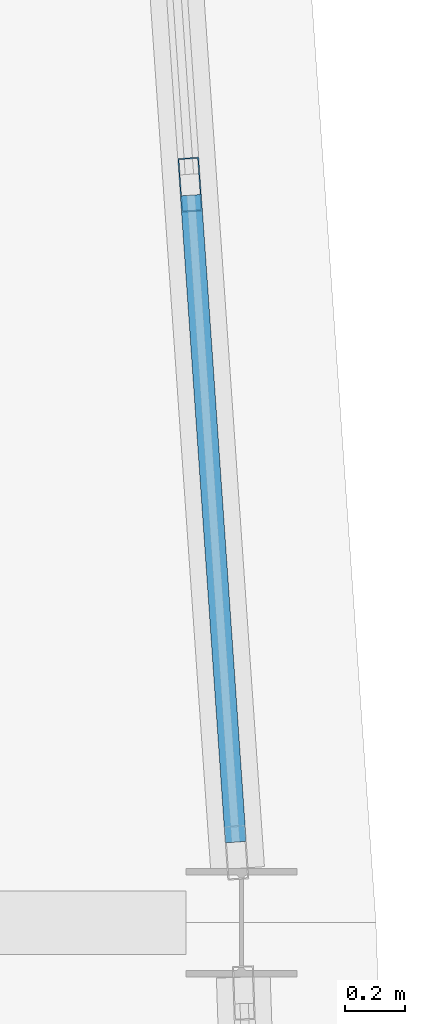
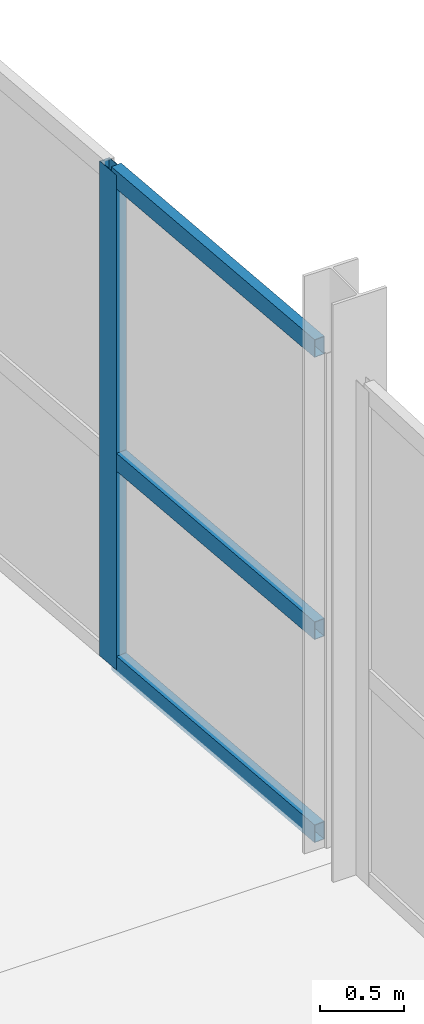
# One storey, part 5 of 16: 4 members, 1 element without a shape of its own.
"""IFC4 building model written with IfcOpenShell, lengths in metres."""

from ifc_helpers import new_model, si_unit, direction, frame, origin, origin_2d, place, context, subcontext, project, spatial, hollow_rectangle, extrude, material, layer, layer_set, material_profile, profile_set, type_object, element, aggregate, save


model = new_model("IFC4")

# Units and contexts
model_context = context("Model", 3, precision=1e-05, world=origin(), true_north=direction((0.0, 1.0)))
body_context = subcontext(model_context, "Body", "Model", "MODEL_VIEW")
ifc_project = project(units=[si_unit("LENGTHUNIT", "METRE"), si_unit("AREAUNIT", "SQUARE_METRE"), si_unit("VOLUMEUNIT", "CUBIC_METRE"), si_unit("PLANEANGLEUNIT", "RADIAN"), si_unit("MASSUNIT", "GRAM", prefix="KILO")], contexts=[model_context])

# Site, building, storey
site_placement = place(None, origin())
site = spatial("IfcSite", under=ifc_project, at=site_placement, CompositionType="ELEMENT")
building_placement = place(site_placement, origin())
building = spatial("IfcBuilding", under=site, at=building_placement, Name="Quillay Park Conservatory", CompositionType="ELEMENT")
storey_placement = place(building_placement, frame((0.0, 0.0, 39.300048828125)))
storey = spatial("IfcBuildingStorey", under=building, at=storey_placement, Name="L09", CompositionType="ELEMENT", Elevation=39.300048828125)

# Curtain wall, members
ifc_material_1 = material(Name="Thermally Broken Anodised Aluminium 6063-T6", Category="aluminium")
ifc_layer = layer(ifc_material_1, 0.179931640625)
ifc_layer_set = layer_set([ifc_layer], Name="UNITISED CURTAIN WALL TOWER (Thermally Broken Anodised Aluminium 6063-T6)")
curtain_wall_type = type_object("IfcCurtainWallType", Name="UNITISED CURTAIN WALL TOWER", PredefinedType="USERDEFINED", material=ifc_layer_set)
curtain_wall_placement = place(storey_placement, origin())
curtain_wall = element("IfcCurtainWall", 1, at=curtain_wall_placement, inside=storey, type_object=curtain_wall_type, Name="L09 Unitised Curtain Wall 091", ObjectType="UNITISED CURTAIN WALL", PredefinedType="USERDEFINED")
ifc_material_2 = material(Name="Thermally Broken Anodised Aluminium 6063-T6", Category="aluminium")
ifc_material_profile_1 = material_profile(ifc_material_2, hollow_rectangle(XDim=0.070068359375, YDim=0.179931640625, WallThickness=0.00390625, at=origin_2d()), Name="AL70x180x4")
ifc_profile_set_1 = profile_set([ifc_material_profile_1], Name="Thermally Broken Anodised Aluminium 6063-T6")
member_type_1 = type_object("IfcMemberType", Name="CURTAIN WALL MULLION 70 X180", PredefinedType="MULLION", material=ifc_profile_set_1)
member_1_placement = place(storey_placement, frame((26.253662109375, 102.06640625, 0.0), z_axis=(0.0, 0.0, 1.0), x_axis=(0.99759835015, 0.069264217159, 0.0)))
member_1 = element("IfcMember", 2, at=member_1_placement, type_object=member_type_1, Name="CW-T1 mullion 3", PredefinedType="MULLION", context=body_context, shape_type="SweptSolid", body=[
    extrude(hollow_rectangle(XDim=0.070068359375, YDim=0.179931640625, WallThickness=0.00390625, at=origin_2d()), origin(), (0.0, 0.0, 1.0), 3.598876953125),
])
ifc_material_3 = material(Name="Thermally Broken Anodised Aluminium 6063-T6", Category="aluminium")
ifc_material_profile_2 = material_profile(ifc_material_3, hollow_rectangle(XDim=0.070068359375, YDim=0.1298828125, WallThickness=0.003173828125, at=origin_2d()), Name="AL70x130x3.2")
ifc_profile_set_2 = profile_set([ifc_material_profile_2], Name="Thermally Broken Anodised Aluminium 6063-T6")
member_type_2 = type_object("IfcMemberType", Name="CURTAIN WALL TRANSOM 70 X130", PredefinedType="USERDEFINED", material=ifc_profile_set_2)
member_2_placement = place(storey_placement, frame((26.256103515625, 102.031494140625, 0.034912109375), z_axis=(0.069277598678, -0.997597420968, 0.0), x_axis=(0.997597420968, 0.069277598678, 0.0)))
member_2 = element("IfcMember", 3, at=member_2_placement, type_object=member_type_2, Name="CW-T1 transom 3.1", ObjectType="TRANSOM", PredefinedType="USERDEFINED", context=body_context, shape_type="SweptSolid", body=[
    extrude(hollow_rectangle(XDim=0.070068359375, YDim=0.1298828125, WallThickness=0.003173828125, at=origin_2d()), origin(), (0.0, 0.0, 1.0), 2.167236328125),
])
member_3_placement = place(storey_placement, frame((26.256103515625, 102.031494140625, 1.511474609375), z_axis=(0.069277598678, -0.997597420968, 0.0), x_axis=(0.997597420968, 0.069277598678, 0.0)))
member_3 = element("IfcMember", 4, at=member_3_placement, type_object=member_type_2, Name="CW-T1 transom 3.2", ObjectType="TRANSOM", PredefinedType="USERDEFINED", context=body_context, shape_type="SweptSolid", body=[
    extrude(hollow_rectangle(XDim=0.070068359375, YDim=0.1298828125, WallThickness=0.003173828125, at=origin_2d()), origin(), (0.0, 0.0, 1.0), 2.167236328125),
])
member_4_placement = place(storey_placement, frame((26.256103515625, 102.031494140625, 3.56396484375), z_axis=(0.069277598678, -0.997597420968, 0.0), x_axis=(0.997597420968, 0.069277598678, 0.0)))
member_4 = element("IfcMember", 5, at=member_4_placement, type_object=member_type_2, Name="CW-T1 transom 3.3", ObjectType="TRANSOM", PredefinedType="USERDEFINED", context=body_context, shape_type="SweptSolid", body=[
    extrude(hollow_rectangle(XDim=0.070068359375, YDim=0.1298828125, WallThickness=0.003173828125, at=origin_2d()), origin(), (0.0, 0.0, 1.0), 2.167236328125),
])
aggregate(curtain_wall, [member_1, member_2, member_3, member_4])

save(model, "model.ifc")
